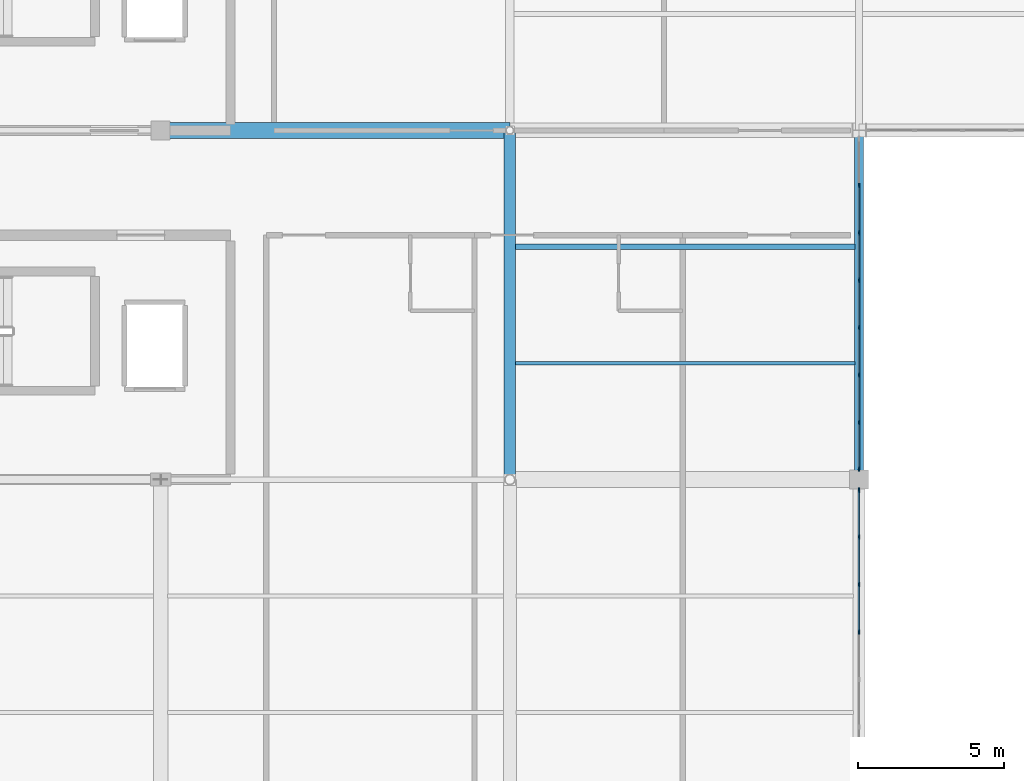
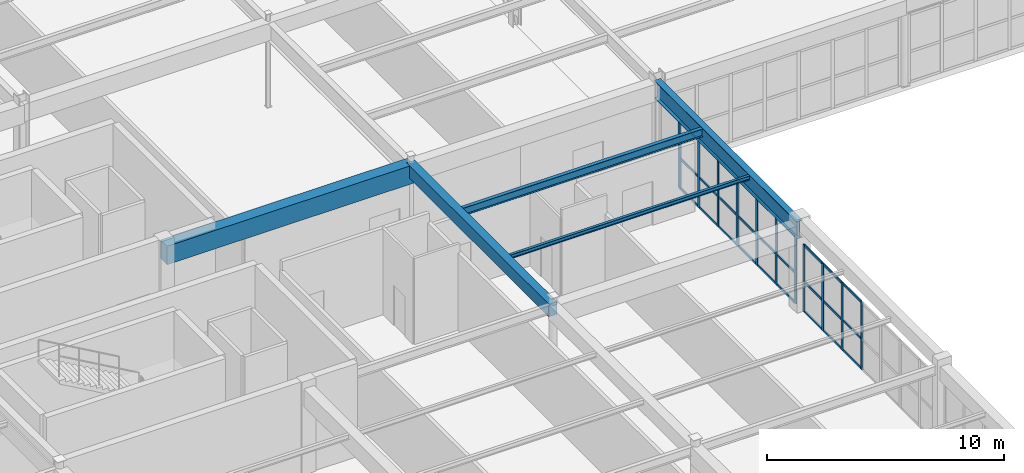
# One storey, part 88 of 226: 38 members, 5 beams, 2 elements without a shape of their own.
"""IFC4 building model written with IfcOpenShell, lengths in metres."""

from ifc_helpers import new_model, si_unit, direction, frame, origin, origin_2d, place, context, subcontext, project, spatial, rectangle, i_section, extrude, material, layer, layer_set, material_profile, profile_set, type_object, element, aggregate, save


model = new_model("IFC4")

# Units and contexts
model_context = context("Model", 3, precision=1e-05, world=origin(), true_north=direction((0.0, 1.0)))
body_context = subcontext(model_context, "Body", "Model", "MODEL_VIEW")
ifc_project = project(units=[si_unit("LENGTHUNIT", "METRE"), si_unit("AREAUNIT", "SQUARE_METRE"), si_unit("VOLUMEUNIT", "CUBIC_METRE"), si_unit("PLANEANGLEUNIT", "RADIAN"), si_unit("MASSUNIT", "GRAM", prefix="KILO")], contexts=[model_context])

# Site, building, storey
site_placement = place(None, origin())
site = spatial("IfcSite", under=ifc_project, at=site_placement, CompositionType="ELEMENT")
building_placement = place(site_placement, origin())
building = spatial("IfcBuilding", under=site, at=building_placement, Name="Tarnwether General Hospital", CompositionType="ELEMENT")
storey_placement = place(building_placement, frame((0.0, 0.0, 4.800048828125)))
storey = spatial("IfcBuildingStorey", under=building, at=storey_placement, Name="L01", CompositionType="ELEMENT", Elevation=4.800048828125)

# Beams
ifc_material_1 = material(Name="Steel Grade 350 (350 MPa)", Category="steel")
ifc_material_profile_1 = material_profile(ifc_material_1, i_section(OverallWidth=0.300048828125, OverallDepth=0.89990234375, WebThickness=0.011962890625, FlangeThickness=0.02001953125, at=origin_2d()), Name="900WB175")
ifc_profile_set_1 = profile_set([ifc_material_profile_1], Name="Steel Grade 350 (350 MPa)")
beam_type_1 = type_object("IfcBeamType", Name="BM-G01", PredefinedType="BEAM", material=ifc_profile_set_1)
beam_1_placement = place(storey_placement, frame((60.0, 69.60009765625, 3.994873046875), z_axis=(0.0, 1.0, 0.0), x_axis=(-1.0, 0.0, 0.0)))
element("IfcBeam", 1, at=beam_1_placement, inside=storey, type_object=beam_type_1, Name="Primary Girder BMG-L01-6000_6960-6000_8160-1127", PredefinedType="BEAM", context=body_context, shape_type="SweptSolid", body=[
    extrude(i_section(OverallWidth=0.300048828125, OverallDepth=0.89990234375, WebThickness=0.011962890625, FlangeThickness=0.02001953125, at=origin_2d()), origin(), (0.0, 0.0, 1.0), 12.0),
])
ifc_material_2 = material(Name="Concrete 40 MPa", Category="concrete")
ifc_material_profile_2 = material_profile(ifc_material_2, rectangle(XDim=0.550048828125, YDim=0.949951171875, at=origin_2d()), Name="RC-BM-550x950")
ifc_profile_set_2 = profile_set([ifc_material_profile_2], Name="Concrete 40 MPa")
beam_type_2 = type_object("IfcBeamType", Name="BM-G11", PredefinedType="BEAM", material=ifc_profile_set_2)
beam_2_placement = place(storey_placement, frame((36.0, 81.60009765625, 3.954833984375), z_axis=(1.0, 0.0, 0.0), x_axis=(0.0, 1.0, 0.0)))
element("IfcBeam", 2, at=beam_2_placement, inside=storey, type_object=beam_type_2, Name="Primary Girder BMG-L01-3600_8160-4800_8160-1095", PredefinedType="BEAM", context=body_context, shape_type="SweptSolid", body=[
    extrude(rectangle(XDim=0.550048828125, YDim=0.949951171875, at=origin_2d()), origin(), (0.0, 0.0, 1.0), 12.0),
])
ifc_material_3 = material(Name="Concrete 40 MPa", Category="concrete")
ifc_material_profile_3 = material_profile(ifc_material_3, rectangle(XDim=0.39990234375, YDim=0.64990234375, at=origin_2d()), Name="RC-BM-400x650")
ifc_profile_set_3 = profile_set([ifc_material_profile_3], Name="Concrete 40 MPa")
beam_type_3 = type_object("IfcBeamType", Name="BM-G14", PredefinedType="BEAM", material=ifc_profile_set_3)
beam_3_placement = place(storey_placement, frame((48.0, 69.60009765625, 4.10498046875), z_axis=(0.0, 1.0, 0.0), x_axis=(-1.0, 0.0, 0.0)))
element("IfcBeam", 3, at=beam_3_placement, inside=storey, type_object=beam_type_3, Name="Primary Girder BMG-L01-4800_6960-4800_8160-1108", PredefinedType="BEAM", context=body_context, shape_type="SweptSolid", body=[
    extrude(rectangle(XDim=0.39990234375, YDim=0.64990234375, at=origin_2d()), origin(), (0.0, 0.0, 1.0), 12.0),
])
ifc_material_4 = material(Name="Steel Grade 350 (350 MPa)", Category="steel")
ifc_material_profile_4 = material_profile(ifc_material_4, i_section(OverallWidth=0.177978515625, OverallDepth=0.406005859375, WebThickness=0.0078125, FlangeThickness=0.0126953125, at=origin_2d()), Name="410UB59.7")
ifc_profile_set_4 = profile_set([ifc_material_profile_4], Name="Steel Grade 350 (350 MPa)")
beam_type_4 = type_object("IfcBeamType", Name="BM-J01", PredefinedType="JOIST", material=ifc_profile_set_4)
beam_4_placement = place(storey_placement, frame((48.194091796875, 77.60009765625, 4.22705078125), z_axis=(1.0, 0.0, 0.0), x_axis=(0.0, 1.0, 0.0)))
element("IfcBeam", 4, at=beam_4_placement, inside=storey, type_object=beam_type_4, Name="Composite Floor Joist BMG-L01-4819_7760-5986_7760-1344", PredefinedType="JOIST", context=body_context, shape_type="SweptSolid", body=[
    extrude(i_section(OverallWidth=0.177978515625, OverallDepth=0.406005859375, WebThickness=0.0078125, FlangeThickness=0.0126953125, at=origin_2d()), origin(), (0.0, 0.0, 1.0), 11.661865234375),
])
ifc_material_5 = material(Name="Steel Grade 350 (350 MPa)", Category="steel")
ifc_material_profile_5 = material_profile(ifc_material_5, i_section(OverallWidth=0.134033203125, OverallDepth=0.20703125, WebThickness=0.00634765625, FlangeThickness=0.009521484375, at=origin_2d()), Name="200UB29.8")
ifc_profile_set_5 = profile_set([ifc_material_profile_5], Name="Steel Grade 350 (350 MPa)")
beam_type_5 = type_object("IfcBeamType", Name="BM-J12", PredefinedType="JOIST", material=ifc_profile_set_5)
beam_5_placement = place(storey_placement, frame((48.194091796875, 73.60009765625, 4.326416015625), z_axis=(1.0, 0.0, 0.0), x_axis=(0.0, 1.0, 0.0)))
element("IfcBeam", 5, at=beam_5_placement, inside=storey, type_object=beam_type_5, Name="Composite Floor Joist BMG-L01-4819_7360-5986_7360-1343", PredefinedType="JOIST", context=body_context, shape_type="SweptSolid", body=[
    extrude(i_section(OverallWidth=0.134033203125, OverallDepth=0.20703125, WebThickness=0.00634765625, FlangeThickness=0.009521484375, at=origin_2d()), origin(), (0.0, 0.0, 1.0), 11.661865234375),
])

# Curtain wall, members
ifc_material_6 = material(Name="Anodised aluminium", Category="aluminium")
ifc_layer = layer(ifc_material_6, 0.159912109375)
ifc_layer_set = layer_set([ifc_layer], Name="Anodised aluminium")
curtain_wall_type = type_object("IfcCurtainWallType", Name="CW-15", PredefinedType="NOTDEFINED", material=ifc_layer_set)
curtain_wall_1_placement = place(storey_placement, origin())
curtain_wall_1 = element("IfcCurtainWall", 6, at=curtain_wall_1_placement, inside=storey, type_object=curtain_wall_type, Name="Curtain Wall CWG-L01-600_813-0352", PredefinedType="NOTDEFINED")
ifc_material_7 = material(Name="Anodised aluminium", Category="aluminium")
ifc_material_profile_6 = material_profile(ifc_material_7, rectangle(XDim=0.06005859375, YDim=0.159912109375, at=origin_2d()), Name="ALU-MUL-60x160")
ifc_profile_set_6 = profile_set([ifc_material_profile_6], Name="Anodised aluminium")
member_type_1 = type_object("IfcMemberType", Name="CW-ML1", PredefinedType="MULLION", material=ifc_profile_set_6)
member_1_placement = place(storey_placement, frame((60.0, 79.712158203125, 0.0), z_axis=(0.0, 0.0, 1.0), x_axis=(1.0, 0.0, 0.0)))
member_1 = element("IfcMember", 7, at=member_1_placement, type_object=member_type_1, Name="CW-15 mullion 2", PredefinedType="MULLION", context=body_context, shape_type="SweptSolid", body=[
    extrude(rectangle(XDim=0.06005859375, YDim=0.159912109375, at=origin_2d()), origin(), (0.0, 0.0, 1.0), 3.46484375),
])
member_2_placement = place(storey_placement, frame((60.0, 78.082275390625, 0.0), z_axis=(0.0, 0.0, 1.0), x_axis=(1.0, 0.0, 0.0)))
member_2 = element("IfcMember", 8, at=member_2_placement, type_object=member_type_1, Name="CW-15 mullion 3", PredefinedType="MULLION", context=body_context, shape_type="SweptSolid", body=[
    extrude(rectangle(XDim=0.06005859375, YDim=0.159912109375, at=origin_2d()), origin(), (0.0, 0.0, 1.0), 3.46484375),
])
member_3_placement = place(storey_placement, frame((60.0, 76.452392578125, 0.0), z_axis=(0.0, 0.0, 1.0), x_axis=(1.0, 0.0, 0.0)))
member_3 = element("IfcMember", 9, at=member_3_placement, type_object=member_type_1, Name="CW-15 mullion 4", PredefinedType="MULLION", context=body_context, shape_type="SweptSolid", body=[
    extrude(rectangle(XDim=0.06005859375, YDim=0.159912109375, at=origin_2d()), origin(), (0.0, 0.0, 1.0), 3.46484375),
])
member_4_placement = place(storey_placement, frame((60.0, 74.822509765625, 0.0), z_axis=(0.0, 0.0, 1.0), x_axis=(1.0, 0.0, 0.0)))
member_4 = element("IfcMember", 10, at=member_4_placement, type_object=member_type_1, Name="CW-15 mullion 5", PredefinedType="MULLION", context=body_context, shape_type="SweptSolid", body=[
    extrude(rectangle(XDim=0.06005859375, YDim=0.159912109375, at=origin_2d()), origin(), (0.0, 0.0, 1.0), 3.46484375),
])
member_5_placement = place(storey_placement, frame((60.0, 73.192626953125, 0.0), z_axis=(0.0, 0.0, 1.0), x_axis=(1.0, 0.0, 0.0)))
member_5 = element("IfcMember", 11, at=member_5_placement, type_object=member_type_1, Name="CW-15 mullion 6", PredefinedType="MULLION", context=body_context, shape_type="SweptSolid", body=[
    extrude(rectangle(XDim=0.06005859375, YDim=0.159912109375, at=origin_2d()), origin(), (0.0, 0.0, 1.0), 3.46484375),
])
member_6_placement = place(storey_placement, frame((60.0, 71.562744140625, 0.0), z_axis=(0.0, 0.0, 1.0), x_axis=(1.0, 0.0, 0.0)))
member_6 = element("IfcMember", 12, at=member_6_placement, type_object=member_type_1, Name="CW-15 mullion 7", PredefinedType="MULLION", context=body_context, shape_type="SweptSolid", body=[
    extrude(rectangle(XDim=0.06005859375, YDim=0.159912109375, at=origin_2d()), origin(), (0.0, 0.0, 1.0), 3.46484375),
])
member_7_placement = place(storey_placement, frame((60.0, 69.962890625, 0.0), z_axis=(0.0, 0.0, 1.0), x_axis=(1.0, 0.0, 0.0)))
member_7 = element("IfcMember", 13, at=member_7_placement, type_object=member_type_1, Name="CW-15 mullion 8", PredefinedType="MULLION", context=body_context, shape_type="SweptSolid", body=[
    extrude(rectangle(XDim=0.06005859375, YDim=0.159912109375, at=origin_2d()), origin(), (0.0, 0.0, 1.0), 3.46484375),
])

curtain_wall_2_placement = place(storey_placement, origin())
curtain_wall_2 = element("IfcCurtainWall", 14, at=curtain_wall_2_placement, inside=storey, type_object=curtain_wall_type, Name="Curtain Wall CWG-L01-600_693-0353", PredefinedType="NOTDEFINED")
member_8_placement = place(storey_placement, frame((60.0, 69.237060546875, 0.0), z_axis=(0.0, 0.0, 1.0), x_axis=(1.0, 0.0, 0.0)))
member_8 = element("IfcMember", 15, at=member_8_placement, type_object=member_type_1, Name="CW-15 mullion 1", PredefinedType="MULLION", context=body_context, shape_type="SweptSolid", body=[
    extrude(rectangle(XDim=0.06005859375, YDim=0.159912109375, at=origin_2d()), origin(), (0.0, 0.0, 1.0), 3.46484375),
])
member_9_placement = place(storey_placement, frame((60.0, 67.633544921875, 0.0), z_axis=(0.0, 0.0, 1.0), x_axis=(1.0, 0.0, 0.0)))
member_9 = element("IfcMember", 16, at=member_9_placement, type_object=member_type_1, Name="CW-15 mullion 2", PredefinedType="MULLION", context=body_context, shape_type="SweptSolid", body=[
    extrude(rectangle(XDim=0.06005859375, YDim=0.159912109375, at=origin_2d()), origin(), (0.0, 0.0, 1.0), 3.46484375),
])
member_10_placement = place(storey_placement, frame((60.0, 66.000244140625, 0.0), z_axis=(0.0, 0.0, 1.0), x_axis=(1.0, 0.0, 0.0)))
member_10 = element("IfcMember", 17, at=member_10_placement, type_object=member_type_1, Name="CW-15 mullion 3", PredefinedType="MULLION", context=body_context, shape_type="SweptSolid", body=[
    extrude(rectangle(XDim=0.06005859375, YDim=0.159912109375, at=origin_2d()), origin(), (0.0, 0.0, 1.0), 3.46484375),
])
member_11_placement = place(storey_placement, frame((60.0, 64.36669921875, 0.0), z_axis=(0.0, 0.0, 1.0), x_axis=(1.0, 0.0, 0.0)))
member_11 = element("IfcMember", 18, at=member_11_placement, type_object=member_type_1, Name="CW-15 mullion 4", PredefinedType="MULLION", context=body_context, shape_type="SweptSolid", body=[
    extrude(rectangle(XDim=0.06005859375, YDim=0.159912109375, at=origin_2d()), origin(), (0.0, 0.0, 1.0), 3.46484375),
])

# Member
ifc_material_8 = material(Name="Anodised aluminium", Category="aluminium")
ifc_material_profile_7 = material_profile(ifc_material_8, rectangle(XDim=0.06005859375, YDim=0.1201171875, at=origin_2d()), Name="ALU-TRN-60x120")
ifc_profile_set_7 = profile_set([ifc_material_profile_7], Name="Anodised aluminium")
member_type_2 = type_object("IfcMemberType", Name="CW-TR1", PredefinedType="USERDEFINED", material=ifc_profile_set_7)
member_12_placement = place(storey_placement, frame((60.0, 79.68212890625, 0.030029296875), z_axis=(0.0, -1.0, 0.0), x_axis=(1.0, 0.0, 0.0)))
member_12 = element("IfcMember", 19, at=member_12_placement, type_object=member_type_2, Name="CW-15 transom 2.1", ObjectType="TRANSOM", PredefinedType="USERDEFINED", context=body_context, shape_type="SweptSolid", body=[
    extrude(rectangle(XDim=0.06005859375, YDim=0.1201171875, at=origin_2d()), origin(), (0.0, 0.0, 1.0), 1.56982421875),
])

member_13_placement = place(storey_placement, frame((60.0, 79.68212890625, 1.559326171875), z_axis=(0.0, -1.0, 0.0), x_axis=(1.0, 0.0, 0.0)))
member_13 = element("IfcMember", 20, at=member_13_placement, type_object=member_type_2, Name="CW-15 transom 2.2", ObjectType="TRANSOM", PredefinedType="USERDEFINED", context=body_context, shape_type="SweptSolid", body=[
    extrude(rectangle(XDim=0.06005859375, YDim=0.1201171875, at=origin_2d()), origin(), (0.0, 0.0, 1.0), 1.56982421875),
])

member_14_placement = place(storey_placement, frame((60.0, 79.68212890625, 3.43505859375), z_axis=(0.0, -1.0, 0.0), x_axis=(1.0, 0.0, 0.0)))
member_14 = element("IfcMember", 21, at=member_14_placement, type_object=member_type_2, Name="CW-15 transom 2.3", ObjectType="TRANSOM", PredefinedType="USERDEFINED", context=body_context, shape_type="SweptSolid", body=[
    extrude(rectangle(XDim=0.06005859375, YDim=0.1201171875, at=origin_2d()), origin(), (0.0, 0.0, 1.0), 1.56982421875),
])

member_15_placement = place(storey_placement, frame((60.0, 78.05224609375, 0.030029296875), z_axis=(0.0, -1.0, 0.0), x_axis=(1.0, 0.0, 0.0)))
member_15 = element("IfcMember", 22, at=member_15_placement, type_object=member_type_2, Name="CW-15 transom 3.1", ObjectType="TRANSOM", PredefinedType="USERDEFINED", context=body_context, shape_type="SweptSolid", body=[
    extrude(rectangle(XDim=0.06005859375, YDim=0.1201171875, at=origin_2d()), origin(), (0.0, 0.0, 1.0), 1.56982421875),
])

member_16_placement = place(storey_placement, frame((60.0, 78.05224609375, 1.559326171875), z_axis=(0.0, -1.0, 0.0), x_axis=(1.0, 0.0, 0.0)))
member_16 = element("IfcMember", 23, at=member_16_placement, type_object=member_type_2, Name="CW-15 transom 3.2", ObjectType="TRANSOM", PredefinedType="USERDEFINED", context=body_context, shape_type="SweptSolid", body=[
    extrude(rectangle(XDim=0.06005859375, YDim=0.1201171875, at=origin_2d()), origin(), (0.0, 0.0, 1.0), 1.56982421875),
])

member_17_placement = place(storey_placement, frame((60.0, 78.05224609375, 3.43505859375), z_axis=(0.0, -1.0, 0.0), x_axis=(1.0, 0.0, 0.0)))
member_17 = element("IfcMember", 24, at=member_17_placement, type_object=member_type_2, Name="CW-15 transom 3.3", ObjectType="TRANSOM", PredefinedType="USERDEFINED", context=body_context, shape_type="SweptSolid", body=[
    extrude(rectangle(XDim=0.06005859375, YDim=0.1201171875, at=origin_2d()), origin(), (0.0, 0.0, 1.0), 1.56982421875),
])

member_18_placement = place(storey_placement, frame((60.0, 76.42236328125, 0.030029296875), z_axis=(0.0, -1.0, 0.0), x_axis=(1.0, 0.0, 0.0)))
member_18 = element("IfcMember", 25, at=member_18_placement, type_object=member_type_2, Name="CW-15 transom 4.1", ObjectType="TRANSOM", PredefinedType="USERDEFINED", context=body_context, shape_type="SweptSolid", body=[
    extrude(rectangle(XDim=0.06005859375, YDim=0.1201171875, at=origin_2d()), origin(), (0.0, 0.0, 1.0), 1.56982421875),
])

member_19_placement = place(storey_placement, frame((60.0, 76.42236328125, 1.559326171875), z_axis=(0.0, -1.0, 0.0), x_axis=(1.0, 0.0, 0.0)))
member_19 = element("IfcMember", 26, at=member_19_placement, type_object=member_type_2, Name="CW-15 transom 4.2", ObjectType="TRANSOM", PredefinedType="USERDEFINED", context=body_context, shape_type="SweptSolid", body=[
    extrude(rectangle(XDim=0.06005859375, YDim=0.1201171875, at=origin_2d()), origin(), (0.0, 0.0, 1.0), 1.56982421875),
])

member_20_placement = place(storey_placement, frame((60.0, 76.42236328125, 3.43505859375), z_axis=(0.0, -1.0, 0.0), x_axis=(1.0, 0.0, 0.0)))
member_20 = element("IfcMember", 27, at=member_20_placement, type_object=member_type_2, Name="CW-15 transom 4.3", ObjectType="TRANSOM", PredefinedType="USERDEFINED", context=body_context, shape_type="SweptSolid", body=[
    extrude(rectangle(XDim=0.06005859375, YDim=0.1201171875, at=origin_2d()), origin(), (0.0, 0.0, 1.0), 1.56982421875),
])

member_21_placement = place(storey_placement, frame((60.0, 74.79248046875, 0.030029296875), z_axis=(0.0, -1.0, 0.0), x_axis=(1.0, 0.0, 0.0)))
member_21 = element("IfcMember", 28, at=member_21_placement, type_object=member_type_2, Name="CW-15 transom 5.1", ObjectType="TRANSOM", PredefinedType="USERDEFINED", context=body_context, shape_type="SweptSolid", body=[
    extrude(rectangle(XDim=0.06005859375, YDim=0.1201171875, at=origin_2d()), origin(), (0.0, 0.0, 1.0), 1.56982421875),
])

member_22_placement = place(storey_placement, frame((60.0, 74.79248046875, 1.559326171875), z_axis=(0.0, -1.0, 0.0), x_axis=(1.0, 0.0, 0.0)))
member_22 = element("IfcMember", 29, at=member_22_placement, type_object=member_type_2, Name="CW-15 transom 5.2", ObjectType="TRANSOM", PredefinedType="USERDEFINED", context=body_context, shape_type="SweptSolid", body=[
    extrude(rectangle(XDim=0.06005859375, YDim=0.1201171875, at=origin_2d()), origin(), (0.0, 0.0, 1.0), 1.56982421875),
])

member_23_placement = place(storey_placement, frame((60.0, 74.79248046875, 3.43505859375), z_axis=(0.0, -1.0, 0.0), x_axis=(1.0, 0.0, 0.0)))
member_23 = element("IfcMember", 30, at=member_23_placement, type_object=member_type_2, Name="CW-15 transom 5.3", ObjectType="TRANSOM", PredefinedType="USERDEFINED", context=body_context, shape_type="SweptSolid", body=[
    extrude(rectangle(XDim=0.06005859375, YDim=0.1201171875, at=origin_2d()), origin(), (0.0, 0.0, 1.0), 1.56982421875),
])

member_24_placement = place(storey_placement, frame((60.0, 73.16259765625, 0.030029296875), z_axis=(0.0, -1.0, 0.0), x_axis=(1.0, 0.0, 0.0)))
member_24 = element("IfcMember", 31, at=member_24_placement, type_object=member_type_2, Name="CW-15 transom 6.1", ObjectType="TRANSOM", PredefinedType="USERDEFINED", context=body_context, shape_type="SweptSolid", body=[
    extrude(rectangle(XDim=0.06005859375, YDim=0.1201171875, at=origin_2d()), origin(), (0.0, 0.0, 1.0), 1.56982421875),
])

member_25_placement = place(storey_placement, frame((60.0, 73.16259765625, 1.559326171875), z_axis=(0.0, -1.0, 0.0), x_axis=(1.0, 0.0, 0.0)))
member_25 = element("IfcMember", 32, at=member_25_placement, type_object=member_type_2, Name="CW-15 transom 6.2", ObjectType="TRANSOM", PredefinedType="USERDEFINED", context=body_context, shape_type="SweptSolid", body=[
    extrude(rectangle(XDim=0.06005859375, YDim=0.1201171875, at=origin_2d()), origin(), (0.0, 0.0, 1.0), 1.56982421875),
])

member_26_placement = place(storey_placement, frame((60.0, 73.16259765625, 3.43505859375), z_axis=(0.0, -1.0, 0.0), x_axis=(1.0, 0.0, 0.0)))
member_26 = element("IfcMember", 33, at=member_26_placement, type_object=member_type_2, Name="CW-15 transom 6.3", ObjectType="TRANSOM", PredefinedType="USERDEFINED", context=body_context, shape_type="SweptSolid", body=[
    extrude(rectangle(XDim=0.06005859375, YDim=0.1201171875, at=origin_2d()), origin(), (0.0, 0.0, 1.0), 1.56982421875),
])

member_27_placement = place(storey_placement, frame((60.0, 71.532958984375, 0.030029296875), z_axis=(0.0, -1.0, 0.0), x_axis=(1.0, 0.0, 0.0)))
member_27 = element("IfcMember", 34, at=member_27_placement, type_object=member_type_2, Name="CW-15 transom 7.1", ObjectType="TRANSOM", PredefinedType="USERDEFINED", context=body_context, shape_type="SweptSolid", body=[
    extrude(rectangle(XDim=0.06005859375, YDim=0.1201171875, at=origin_2d()), origin(), (0.0, 0.0, 1.0), 1.5400390625),
])

member_28_placement = place(storey_placement, frame((60.0, 71.532958984375, 1.559326171875), z_axis=(0.0, -1.0, 0.0), x_axis=(1.0, 0.0, 0.0)))
member_28 = element("IfcMember", 35, at=member_28_placement, type_object=member_type_2, Name="CW-15 transom 7.2", ObjectType="TRANSOM", PredefinedType="USERDEFINED", context=body_context, shape_type="SweptSolid", body=[
    extrude(rectangle(XDim=0.06005859375, YDim=0.1201171875, at=origin_2d()), origin(), (0.0, 0.0, 1.0), 1.5400390625),
])

member_29_placement = place(storey_placement, frame((60.0, 71.532958984375, 3.43505859375), z_axis=(0.0, -1.0, 0.0), x_axis=(1.0, 0.0, 0.0)))
member_29 = element("IfcMember", 36, at=member_29_placement, type_object=member_type_2, Name="CW-15 transom 7.3", ObjectType="TRANSOM", PredefinedType="USERDEFINED", context=body_context, shape_type="SweptSolid", body=[
    extrude(rectangle(XDim=0.06005859375, YDim=0.1201171875, at=origin_2d()), origin(), (0.0, 0.0, 1.0), 1.5400390625),
])

aggregate(curtain_wall_1, [member_1, member_2, member_3, member_4, member_5, member_6, member_7, member_12, member_13, member_14, member_15, member_16, member_17, member_18, member_19, member_20, member_21, member_22, member_23, member_24, member_25, member_26, member_27, member_28, member_29])

member_30_placement = place(storey_placement, frame((60.0, 69.20703125, 0.030029296875), z_axis=(0.0, -1.0, 0.0), x_axis=(1.0, 0.0, 0.0)))
member_30 = element("IfcMember", 37, at=member_30_placement, type_object=member_type_2, Name="CW-15 transom 1.1", ObjectType="TRANSOM", PredefinedType="USERDEFINED", context=body_context, shape_type="SweptSolid", body=[
    extrude(rectangle(XDim=0.06005859375, YDim=0.1201171875, at=origin_2d()), origin(), (0.0, 0.0, 1.0), 1.54345703125),
])

member_31_placement = place(storey_placement, frame((60.0, 69.20703125, 1.559326171875), z_axis=(0.0, -1.0, 0.0), x_axis=(1.0, 0.0, 0.0)))
member_31 = element("IfcMember", 38, at=member_31_placement, type_object=member_type_2, Name="CW-15 transom 1.2", ObjectType="TRANSOM", PredefinedType="USERDEFINED", context=body_context, shape_type="SweptSolid", body=[
    extrude(rectangle(XDim=0.06005859375, YDim=0.1201171875, at=origin_2d()), origin(), (0.0, 0.0, 1.0), 1.54345703125),
])

member_32_placement = place(storey_placement, frame((60.0, 69.20703125, 3.43505859375), z_axis=(0.0, -1.0, 0.0), x_axis=(1.0, 0.0, 0.0)))
member_32 = element("IfcMember", 39, at=member_32_placement, type_object=member_type_2, Name="CW-15 transom 1.3", ObjectType="TRANSOM", PredefinedType="USERDEFINED", context=body_context, shape_type="SweptSolid", body=[
    extrude(rectangle(XDim=0.06005859375, YDim=0.1201171875, at=origin_2d()), origin(), (0.0, 0.0, 1.0), 1.54345703125),
])

member_33_placement = place(storey_placement, frame((60.0, 67.603515625, 0.030029296875), z_axis=(0.0, -1.0, 0.0), x_axis=(1.0, 0.0, 0.0)))
member_33 = element("IfcMember", 40, at=member_33_placement, type_object=member_type_2, Name="CW-15 transom 2.1", ObjectType="TRANSOM", PredefinedType="USERDEFINED", context=body_context, shape_type="SweptSolid", body=[
    extrude(rectangle(XDim=0.06005859375, YDim=0.1201171875, at=origin_2d()), origin(), (0.0, 0.0, 1.0), 1.573486328125),
])

member_34_placement = place(storey_placement, frame((60.0, 67.603515625, 1.559326171875), z_axis=(0.0, -1.0, 0.0), x_axis=(1.0, 0.0, 0.0)))
member_34 = element("IfcMember", 41, at=member_34_placement, type_object=member_type_2, Name="CW-15 transom 2.2", ObjectType="TRANSOM", PredefinedType="USERDEFINED", context=body_context, shape_type="SweptSolid", body=[
    extrude(rectangle(XDim=0.06005859375, YDim=0.1201171875, at=origin_2d()), origin(), (0.0, 0.0, 1.0), 1.573486328125),
])

member_35_placement = place(storey_placement, frame((60.0, 67.603515625, 3.43505859375), z_axis=(0.0, -1.0, 0.0), x_axis=(1.0, 0.0, 0.0)))
member_35 = element("IfcMember", 42, at=member_35_placement, type_object=member_type_2, Name="CW-15 transom 2.3", ObjectType="TRANSOM", PredefinedType="USERDEFINED", context=body_context, shape_type="SweptSolid", body=[
    extrude(rectangle(XDim=0.06005859375, YDim=0.1201171875, at=origin_2d()), origin(), (0.0, 0.0, 1.0), 1.573486328125),
])

member_36_placement = place(storey_placement, frame((60.0, 65.97021484375, 0.030029296875), z_axis=(0.0, -1.0, 0.0), x_axis=(1.0, 0.0, 0.0)))
member_36 = element("IfcMember", 43, at=member_36_placement, type_object=member_type_2, Name="CW-15 transom 3.1", ObjectType="TRANSOM", PredefinedType="USERDEFINED", context=body_context, shape_type="SweptSolid", body=[
    extrude(rectangle(XDim=0.06005859375, YDim=0.1201171875, at=origin_2d()), origin(), (0.0, 0.0, 1.0), 1.573486328125),
])

member_37_placement = place(storey_placement, frame((60.0, 65.97021484375, 1.559326171875), z_axis=(0.0, -1.0, 0.0), x_axis=(1.0, 0.0, 0.0)))
member_37 = element("IfcMember", 44, at=member_37_placement, type_object=member_type_2, Name="CW-15 transom 3.2", ObjectType="TRANSOM", PredefinedType="USERDEFINED", context=body_context, shape_type="SweptSolid", body=[
    extrude(rectangle(XDim=0.06005859375, YDim=0.1201171875, at=origin_2d()), origin(), (0.0, 0.0, 1.0), 1.573486328125),
])

member_38_placement = place(storey_placement, frame((60.0, 65.97021484375, 3.43505859375), z_axis=(0.0, -1.0, 0.0), x_axis=(1.0, 0.0, 0.0)))
member_38 = element("IfcMember", 45, at=member_38_placement, type_object=member_type_2, Name="CW-15 transom 3.3", ObjectType="TRANSOM", PredefinedType="USERDEFINED", context=body_context, shape_type="SweptSolid", body=[
    extrude(rectangle(XDim=0.06005859375, YDim=0.1201171875, at=origin_2d()), origin(), (0.0, 0.0, 1.0), 1.573486328125),
])

aggregate(curtain_wall_2, [member_8, member_9, member_10, member_11, member_30, member_31, member_32, member_33, member_34, member_35, member_36, member_37, member_38])

save(model, "model.ifc")
